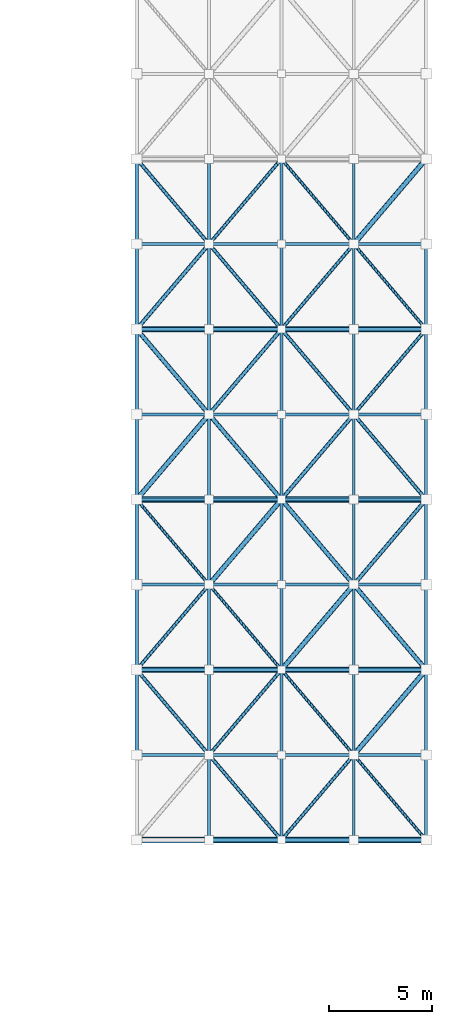
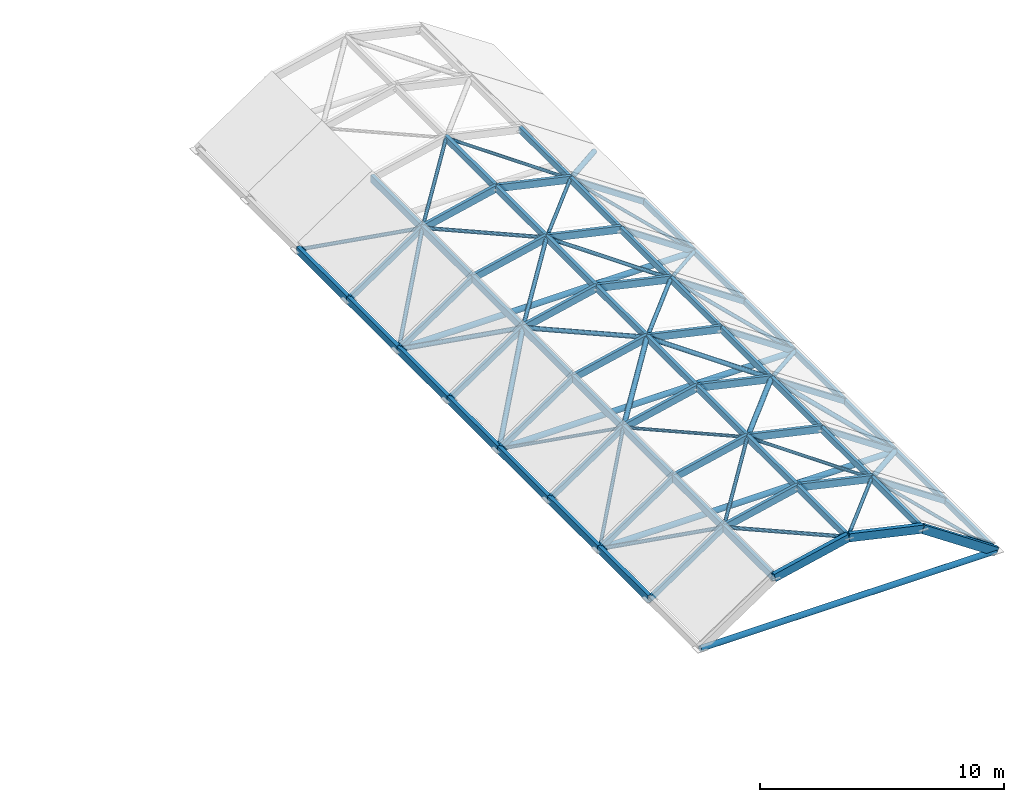
# One storey, part 6 of 15: 104 members.
"""IFC4 building model written with IfcOpenShell, lengths in metres."""

from ifc_helpers import new_model, si_unit, direction, frame, origin, origin_2d, place, context, subcontext, project, spatial, rectangle, hollow_rectangle, hollow_circle, extrude, material, material_profile, profile_set, type_object, element, save


model = new_model("IFC4")

# Units and contexts
model_context = context("Model", 3, precision=1e-05, world=origin(), true_north=direction((0.0, 1.0)))
body_context = subcontext(model_context, "Body", "Model", "MODEL_VIEW")
ifc_project = project(units=[si_unit("LENGTHUNIT", "METRE"), si_unit("AREAUNIT", "SQUARE_METRE"), si_unit("VOLUMEUNIT", "CUBIC_METRE"), si_unit("PLANEANGLEUNIT", "RADIAN"), si_unit("MASSUNIT", "GRAM", prefix="KILO")], contexts=[model_context])

# Site, building, storey
site_placement = place(None, origin())
site = spatial("IfcSite", under=ifc_project, at=site_placement, CompositionType="ELEMENT")
building_placement = place(site_placement, origin())
building = spatial("IfcBuilding", under=site, at=building_placement, Name="Vardoun Plaza Health Centre", CompositionType="ELEMENT")
storey_placement = place(building_placement, frame((0.0, 0.0, 17.10009765625)))
storey = spatial("IfcBuildingStorey", under=building, at=storey_placement, Name="L04", CompositionType="ELEMENT", Elevation=17.10009765625)

# Members
ifc_material_1 = material(Name="Glulam GL28h", Category="wood")
ifc_material_profile_1 = material_profile(ifc_material_1, rectangle(XDim=0.179931640625, YDim=0.360107421875, at=origin_2d()), Name="GL28h 180x360")
ifc_profile_set_1 = profile_set([ifc_material_profile_1], Name="Glulam GL28h")
member_type_1 = type_object("IfcMemberType", Name="GP-03", PredefinedType="PURLIN", material=ifc_profile_set_1)
for number, where, z_axis, x_axis, name in (
    (1, (55.27001953125, 40.803955078125, 0.75), (0.0, 1.0, 0.0), (-1.0, 0.0, 0.0), "Gridshell Glulam Purlin GP-03-02"),
    (2, (55.27001953125, 44.927978515625, 0.75), (0.0, 1.0, 0.0), (-1.0, 0.0, 0.0), "Gridshell Glulam Purlin GP-03-03"),
    (3, (55.27001953125, 49.052001953125, 0.75), (0.0, 1.0, 0.0), (-1.0, 0.0, 0.0), "Gridshell Glulam Purlin GP-03-04"),
    (4, (55.27001953125, 53.176025390625, 0.75), (0.0, 1.0, 0.0), (-1.0, 0.0, 0.0), "Gridshell Glulam Purlin GP-03-05"),
    (5, (55.27001953125, 57.300048828125, 0.75), (0.0, 1.0, 0.0), (-1.0, 0.0, 0.0), "Gridshell Glulam Purlin GP-03-06"),
    (6, (55.27001953125, 61.424072265625, 0.75), (0.0, 1.0, 0.0), (-1.0, 0.0, 0.0), "Gridshell Glulam Purlin GP-03-07"),
    (7, (55.27001953125, 65.548095703125, 0.75), (0.0, 1.0, 0.0), (-1.0, 0.0, 0.0), "Gridshell Glulam Purlin GP-03-08"),
):
    element("IfcMember", number, at=place(storey_placement, frame(where, z_axis=z_axis, x_axis=x_axis)), inside=storey, type_object=member_type_1, Name=name, PredefinedType="PURLIN", context=body_context, shape_type="SweptSolid", body=[
        extrude(rectangle(XDim=0.179931640625, YDim=0.360107421875, at=origin_2d()), origin(), (0.0, 0.0, 1.0), 4.1240234375),
    ])
ifc_material_2 = material(Name="Glulam GL28h", Category="wood")
ifc_material_profile_2 = material_profile(ifc_material_2, rectangle(XDim=0.159912109375, YDim=0.360107421875, at=origin_2d()), Name="GL28h 160x360")
ifc_profile_set_2 = profile_set([ifc_material_profile_2], Name="Glulam GL28h")
member_type_2 = type_object("IfcMemberType", Name="GP-04", PredefinedType="PURLIN", material=ifc_profile_set_2)
for number, where, z_axis, x_axis, name in (
    (8, (58.775146484375, 36.679931640625, 3.1123046875), (0.0, 1.0, 0.0), (-1.0, 0.0, 0.0), "Gridshell Glulam Purlin GP-04-01"),
    (9, (58.775146484375, 40.803955078125, 3.1123046875), (0.0, 1.0, 0.0), (-1.0, 0.0, 0.0), "Gridshell Glulam Purlin GP-04-02"),
    (10, (58.775146484375, 44.927978515625, 3.1123046875), (0.0, 1.0, 0.0), (-1.0, 0.0, 0.0), "Gridshell Glulam Purlin GP-04-03"),
    (11, (58.775146484375, 49.052001953125, 3.1123046875), (0.0, 1.0, 0.0), (-1.0, 0.0, 0.0), "Gridshell Glulam Purlin GP-04-04"),
    (12, (58.775146484375, 53.176025390625, 3.1123046875), (0.0, 1.0, 0.0), (-1.0, 0.0, 0.0), "Gridshell Glulam Purlin GP-04-05"),
    (13, (58.775146484375, 57.300048828125, 3.1123046875), (0.0, 1.0, 0.0), (-1.0, 0.0, 0.0), "Gridshell Glulam Purlin GP-04-06"),
    (14, (58.775146484375, 61.424072265625, 3.1123046875), (0.0, 1.0, 0.0), (-1.0, 0.0, 0.0), "Gridshell Glulam Purlin GP-04-07"),
    (15, (58.775146484375, 65.548095703125, 3.1123046875), (0.0, 1.0, 0.0), (-1.0, 0.0, 0.0), "Gridshell Glulam Purlin GP-04-08"),
):
    element("IfcMember", number, at=place(storey_placement, frame(where, z_axis=z_axis, x_axis=x_axis)), inside=storey, type_object=member_type_2, Name=name, PredefinedType="PURLIN", context=body_context, shape_type="SweptSolid", body=[
        extrude(rectangle(XDim=0.159912109375, YDim=0.360107421875, at=origin_2d()), origin(), (0.0, 0.0, 1.0), 4.1240234375),
    ])
ifc_material_3 = material(Name="Glulam GL28h", Category="wood")
ifc_material_profile_3 = material_profile(ifc_material_3, rectangle(XDim=0.159912109375, YDim=0.320068359375, at=origin_2d()), Name="GL28h 160x320")
ifc_profile_set_3 = profile_set([ifc_material_profile_3], Name="Glulam GL28h")
member_type_3 = type_object("IfcMemberType", Name="GP-05", PredefinedType="PURLIN", material=ifc_profile_set_3)
for number, where, z_axis, x_axis, name in (
    (16, (62.280029296875, 36.679931640625, 3.89990234375), (0.0, 1.0, 0.0), (-1.0, 0.0, 0.0), "Gridshell Glulam Purlin GP-05-01"),
    (17, (62.280029296875, 40.803955078125, 3.89990234375), (0.0, 1.0, 0.0), (-1.0, 0.0, 0.0), "Gridshell Glulam Purlin GP-05-02"),
    (18, (62.280029296875, 44.927978515625, 3.89990234375), (0.0, 1.0, 0.0), (-1.0, 0.0, 0.0), "Gridshell Glulam Purlin GP-05-03"),
    (19, (62.280029296875, 49.052001953125, 3.89990234375), (0.0, 1.0, 0.0), (-1.0, 0.0, 0.0), "Gridshell Glulam Purlin GP-05-04"),
    (20, (62.280029296875, 53.176025390625, 3.89990234375), (0.0, 1.0, 0.0), (-1.0, 0.0, 0.0), "Gridshell Glulam Purlin GP-05-05"),
    (21, (62.280029296875, 57.300048828125, 3.89990234375), (0.0, 1.0, 0.0), (-1.0, 0.0, 0.0), "Gridshell Glulam Purlin GP-05-06"),
    (22, (62.280029296875, 61.424072265625, 3.89990234375), (0.0, 1.0, 0.0), (-1.0, 0.0, 0.0), "Gridshell Glulam Purlin GP-05-07"),
    (23, (62.280029296875, 65.548095703125, 3.89990234375), (0.0, 1.0, 0.0), (-1.0, 0.0, 0.0), "Gridshell Glulam Purlin GP-05-08"),
):
    element("IfcMember", number, at=place(storey_placement, frame(where, z_axis=z_axis, x_axis=x_axis)), inside=storey, type_object=member_type_3, Name=name, PredefinedType="PURLIN", context=body_context, shape_type="SweptSolid", body=[
        extrude(rectangle(XDim=0.159912109375, YDim=0.320068359375, at=origin_2d()), origin(), (0.0, 0.0, 1.0), 4.1240234375),
    ])
ifc_material_4 = material(Name="Glulam GL28h", Category="wood")
ifc_material_profile_4 = material_profile(ifc_material_4, rectangle(XDim=0.139892578125, YDim=0.320068359375, at=origin_2d()), Name="GL28h 140x320")
ifc_profile_set_4 = profile_set([ifc_material_profile_4], Name="Glulam GL28h")
member_type_4 = type_object("IfcMemberType", Name="GP-06", PredefinedType="PURLIN", material=ifc_profile_set_4)
for number, where, z_axis, x_axis, name in (
    (24, (65.784912109375, 36.679931640625, 3.1123046875), (0.0, 1.0, 0.0), (-1.0, 0.0, 0.0), "Gridshell Glulam Purlin GP-06-01"),
    (25, (65.784912109375, 40.803955078125, 3.1123046875), (0.0, 1.0, 0.0), (-1.0, 0.0, 0.0), "Gridshell Glulam Purlin GP-06-02"),
    (26, (65.784912109375, 44.927978515625, 3.1123046875), (0.0, 1.0, 0.0), (-1.0, 0.0, 0.0), "Gridshell Glulam Purlin GP-06-03"),
    (27, (65.784912109375, 49.052001953125, 3.1123046875), (0.0, 1.0, 0.0), (-1.0, 0.0, 0.0), "Gridshell Glulam Purlin GP-06-04"),
    (28, (65.784912109375, 53.176025390625, 3.1123046875), (0.0, 1.0, 0.0), (-1.0, 0.0, 0.0), "Gridshell Glulam Purlin GP-06-05"),
    (29, (65.784912109375, 57.300048828125, 3.1123046875), (0.0, 1.0, 0.0), (-1.0, 0.0, 0.0), "Gridshell Glulam Purlin GP-06-06"),
    (30, (65.784912109375, 61.424072265625, 3.1123046875), (0.0, 1.0, 0.0), (-1.0, 0.0, 0.0), "Gridshell Glulam Purlin GP-06-07"),
    (31, (65.784912109375, 65.548095703125, 3.1123046875), (0.0, 1.0, 0.0), (-1.0, 0.0, 0.0), "Gridshell Glulam Purlin GP-06-08"),
):
    element("IfcMember", number, at=place(storey_placement, frame(where, z_axis=z_axis, x_axis=x_axis)), inside=storey, type_object=member_type_4, Name=name, PredefinedType="PURLIN", context=body_context, shape_type="SweptSolid", body=[
        extrude(rectangle(XDim=0.139892578125, YDim=0.320068359375, at=origin_2d()), origin(), (0.0, 0.0, 1.0), 4.1240234375),
    ])
ifc_material_5 = material(Name="Glulam GL28h", Category="wood")
ifc_material_profile_5 = material_profile(ifc_material_5, rectangle(XDim=0.139892578125, YDim=0.280029296875, at=origin_2d()), Name="GL28h 140x280")
ifc_profile_set_5 = profile_set([ifc_material_profile_5], Name="Glulam GL28h")
member_type_5 = type_object("IfcMemberType", Name="GP-07", PredefinedType="PURLIN", material=ifc_profile_set_5)
for number, where, z_axis, x_axis, name in (
    (32, (69.2900390625, 36.679931640625, 0.75), (0.0, 1.0, 0.0), (-1.0, 0.0, 0.0), "Gridshell Glulam Purlin GP-07-01"),
    (33, (69.2900390625, 40.803955078125, 0.75), (0.0, 1.0, 0.0), (-1.0, 0.0, 0.0), "Gridshell Glulam Purlin GP-07-02"),
    (34, (69.2900390625, 44.927978515625, 0.75), (0.0, 1.0, 0.0), (-1.0, 0.0, 0.0), "Gridshell Glulam Purlin GP-07-03"),
    (35, (69.2900390625, 49.052001953125, 0.75), (0.0, 1.0, 0.0), (-1.0, 0.0, 0.0), "Gridshell Glulam Purlin GP-07-04"),
    (36, (69.2900390625, 53.176025390625, 0.75), (0.0, 1.0, 0.0), (-1.0, 0.0, 0.0), "Gridshell Glulam Purlin GP-07-05"),
    (37, (69.2900390625, 57.300048828125, 0.75), (0.0, 1.0, 0.0), (-1.0, 0.0, 0.0), "Gridshell Glulam Purlin GP-07-06"),
    (38, (69.2900390625, 61.424072265625, 0.75), (0.0, 1.0, 0.0), (-1.0, 0.0, 0.0), "Gridshell Glulam Purlin GP-07-07"),
):
    element("IfcMember", number, at=place(storey_placement, frame(where, z_axis=z_axis, x_axis=x_axis)), inside=storey, type_object=member_type_5, Name=name, PredefinedType="PURLIN", context=body_context, shape_type="SweptSolid", body=[
        extrude(rectangle(XDim=0.139892578125, YDim=0.280029296875, at=origin_2d()), origin(), (0.0, 0.0, 1.0), 4.1240234375),
    ])
ifc_material_6 = material(Name="Steel S355J2H", Category="steel")
ifc_material_profile_6 = material_profile(ifc_material_6, hollow_rectangle(XDim=0.199951171875, YDim=0.39990234375, WallThickness=0.012451171875, at=origin_2d()), Name="RHS 400x200x12.5")
ifc_profile_set_6 = profile_set([ifc_material_profile_6], Name="Steel S355J2H")
member_type_6 = type_object("IfcMemberType", Name="GS-A1", PredefinedType="CHORD", material=ifc_profile_set_6)
for number, where, z_axis, x_axis, name in (
    (39, (58.775146484375, 36.679931640625, 3.1123046875), (0.975669394422, 0.0, 0.219246967568), (0.0, 1.0, 0.0), "Gridshell Arch Rib GA-01-04"),
    (40, (65.784912109375, 36.679931640625, 3.1123046875), (-0.975669394422, 0.0, 0.219246967568), (0.0, -1.0, 0.0), "Gridshell Arch Rib GA-01-05"),
):
    element("IfcMember", number, at=place(storey_placement, frame(where, z_axis=z_axis, x_axis=x_axis)), inside=storey, type_object=member_type_6, Name=name, PredefinedType="CHORD", context=body_context, shape_type="SweptSolid", body=[
        extrude(hollow_rectangle(XDim=0.199951171875, YDim=0.39990234375, WallThickness=0.012451171875, at=origin_2d()), origin(), (0.0, 0.0, 1.0), 3.59228515625),
    ])
member_1_placement = place(storey_placement, frame((69.2900390625, 36.679931640625, 0.75), z_axis=(-0.829249551826, 0.0, 0.558878502714), x_axis=(0.0, -1.0, 0.0)))
element("IfcMember", 41, at=member_1_placement, inside=storey, type_object=member_type_6, Name="Gridshell Arch Rib GA-01-06", PredefinedType="CHORD", context=body_context, shape_type="SweptSolid", body=[
    extrude(hollow_rectangle(XDim=0.199951171875, YDim=0.39990234375, WallThickness=0.012451171875, at=origin_2d()), origin(), (0.0, 0.0, 1.0), 4.226806640625),
])
ifc_material_7 = material(Name="Steel S355J2H", Category="steel")
ifc_material_profile_7 = material_profile(ifc_material_7, hollow_rectangle(XDim=0.14990234375, YDim=0.35009765625, WallThickness=0.010009765625, at=origin_2d()), Name="RHS 350x150x10.0")
ifc_profile_set_7 = profile_set([ifc_material_profile_7], Name="Steel S355J2H")
member_type_7 = type_object("IfcMemberType", Name="GS-A2", PredefinedType="CHORD", material=ifc_profile_set_7)
for number, where, z_axis, x_axis, name in (
    (42, (58.775146484375, 40.803955078125, 3.1123046875), (0.975669394422, 0.0, 0.219246967568), (0.0, 1.0, 0.0), "Gridshell Arch Rib GA-02-04"),
    (43, (65.784912109375, 40.803955078125, 3.1123046875), (-0.975669394422, 0.0, 0.219246967568), (0.0, -1.0, 0.0), "Gridshell Arch Rib GA-02-05"),
    (44, (58.775146484375, 44.927978515625, 3.1123046875), (0.975669394422, 0.0, 0.219246967568), (0.0, 1.0, 0.0), "Gridshell Arch Rib GA-03-04"),
    (45, (65.784912109375, 44.927978515625, 3.1123046875), (-0.975669394422, 0.0, 0.219246967568), (0.0, -1.0, 0.0), "Gridshell Arch Rib GA-03-05"),
    (46, (58.775146484375, 49.052001953125, 3.1123046875), (0.975669394422, 0.0, 0.219246967568), (0.0, 1.0, 0.0), "Gridshell Arch Rib GA-04-04"),
    (47, (65.784912109375, 49.052001953125, 3.1123046875), (-0.975669394422, 0.0, 0.219246967568), (0.0, -1.0, 0.0), "Gridshell Arch Rib GA-04-05"),
    (48, (58.775146484375, 53.176025390625, 3.1123046875), (0.975669394422, 0.0, 0.219246967568), (0.0, 1.0, 0.0), "Gridshell Arch Rib GA-05-04"),
    (49, (65.784912109375, 53.176025390625, 3.1123046875), (-0.975669394422, 0.0, 0.219246967568), (0.0, -1.0, 0.0), "Gridshell Arch Rib GA-05-05"),
    (50, (58.775146484375, 57.300048828125, 3.1123046875), (0.975669394422, 0.0, 0.219246967568), (0.0, 1.0, 0.0), "Gridshell Arch Rib GA-06-04"),
    (51, (65.784912109375, 57.300048828125, 3.1123046875), (-0.975669394422, 0.0, 0.219246967568), (0.0, -1.0, 0.0), "Gridshell Arch Rib GA-06-05"),
    (52, (58.775146484375, 61.424072265625, 3.1123046875), (0.975669394422, 0.0, 0.219246967568), (0.0, 1.0, 0.0), "Gridshell Arch Rib GA-07-04"),
    (53, (65.784912109375, 61.424072265625, 3.1123046875), (-0.975669394422, 0.0, 0.219246967568), (0.0, -1.0, 0.0), "Gridshell Arch Rib GA-07-05"),
    (54, (58.775146484375, 65.548095703125, 3.1123046875), (0.975669394422, 0.0, 0.219246967568), (0.0, 1.0, 0.0), "Gridshell Arch Rib GA-08-04"),
    (55, (65.784912109375, 65.548095703125, 3.1123046875), (-0.975669394422, 0.0, 0.219246967568), (0.0, -1.0, 0.0), "Gridshell Arch Rib GA-08-05"),
):
    element("IfcMember", number, at=place(storey_placement, frame(where, z_axis=z_axis, x_axis=x_axis)), inside=storey, type_object=member_type_7, Name=name, PredefinedType="CHORD", context=body_context, shape_type="SweptSolid", body=[
        extrude(hollow_rectangle(XDim=0.14990234375, YDim=0.35009765625, WallThickness=0.010009765625, at=origin_2d()), origin(), (0.0, 0.0, 1.0), 3.59228515625),
    ])
ifc_material_8 = material(Name="Steel S355J2H", Category="steel")
ifc_material_profile_8 = material_profile(ifc_material_8, hollow_rectangle(XDim=0.14990234375, YDim=0.25, WallThickness=0.010009765625, at=origin_2d()), Name="RHS 250x150x10.0")
ifc_profile_set_8 = profile_set([ifc_material_profile_8], Name="Steel S355J2H")
member_type_8 = type_object("IfcMemberType", Name="GS-A4", PredefinedType="CHORD", material=ifc_profile_set_8)
for number, where, z_axis, x_axis, name in (
    (56, (55.27001953125, 40.803955078125, 0.75), (0.829249551826, 0.0, 0.558878502714), (0.0, 1.0, 0.0), "Gridshell Arch Rib GA-02-03"),
    (57, (69.2900390625, 40.803955078125, 0.75), (-0.829249551826, 0.0, 0.558878502714), (0.0, -1.0, 0.0), "Gridshell Arch Rib GA-02-06"),
    (58, (55.27001953125, 44.927978515625, 0.75), (0.829249551826, 0.0, 0.558878502714), (0.0, 1.0, 0.0), "Gridshell Arch Rib GA-03-03"),
    (59, (69.2900390625, 44.927978515625, 0.75), (-0.829249551826, 0.0, 0.558878502714), (0.0, -1.0, 0.0), "Gridshell Arch Rib GA-03-06"),
    (60, (55.27001953125, 49.052001953125, 0.75), (0.829249551826, 0.0, 0.558878502714), (0.0, 1.0, 0.0), "Gridshell Arch Rib GA-04-03"),
    (61, (69.2900390625, 49.052001953125, 0.75), (-0.829249551826, 0.0, 0.558878502714), (0.0, -1.0, 0.0), "Gridshell Arch Rib GA-04-06"),
    (62, (55.27001953125, 53.176025390625, 0.75), (0.829249551826, 0.0, 0.558878502714), (0.0, 1.0, 0.0), "Gridshell Arch Rib GA-05-03"),
    (63, (69.2900390625, 53.176025390625, 0.75), (-0.829249551826, 0.0, 0.558878502714), (0.0, -1.0, 0.0), "Gridshell Arch Rib GA-05-06"),
    (64, (55.27001953125, 57.300048828125, 0.75), (0.829249551826, 0.0, 0.558878502714), (0.0, 1.0, 0.0), "Gridshell Arch Rib GA-06-03"),
    (65, (69.2900390625, 57.300048828125, 0.75), (-0.829249551826, 0.0, 0.558878502714), (0.0, -1.0, 0.0), "Gridshell Arch Rib GA-06-06"),
    (66, (55.27001953125, 61.424072265625, 0.75), (0.829249551826, 0.0, 0.558878502714), (0.0, 1.0, 0.0), "Gridshell Arch Rib GA-07-03"),
    (67, (69.2900390625, 61.424072265625, 0.75), (-0.829249551826, 0.0, 0.558878502714), (0.0, -1.0, 0.0), "Gridshell Arch Rib GA-07-06"),
    (68, (55.27001953125, 65.548095703125, 0.75), (0.829249551826, 0.0, 0.558878502714), (0.0, 1.0, 0.0), "Gridshell Arch Rib GA-08-03"),
    (69, (69.2900390625, 65.548095703125, 0.75), (-0.829249551826, 0.0, 0.558878502714), (0.0, -1.0, 0.0), "Gridshell Arch Rib GA-08-06"),
):
    element("IfcMember", number, at=place(storey_placement, frame(where, z_axis=z_axis, x_axis=x_axis)), inside=storey, type_object=member_type_8, Name=name, PredefinedType="CHORD", context=body_context, shape_type="SweptSolid", body=[
        extrude(hollow_rectangle(XDim=0.14990234375, YDim=0.25, WallThickness=0.010009765625, at=origin_2d()), origin(), (0.0, 0.0, 1.0), 4.226806640625),
    ])
ifc_material_9 = material(Name="Steel S355J2H", Category="steel")
ifc_material_profile_9 = material_profile(ifc_material_9, hollow_circle(Radius=0.122314453125, WallThickness=0.012451171875, at=origin_2d()), Name="CHS 244.5x12.5")
ifc_profile_set_9 = profile_set([ifc_material_profile_9], Name="Steel S355J2H")
member_type_9 = type_object("IfcMemberType", Name="GS-D1", PredefinedType="BRACE", material=ifc_profile_set_9)
member_2_placement = place(storey_placement, frame((69.2900390625, 44.927978515625, 0.75), z_axis=(-0.593544208723, -0.698345669273, 0.400023247448), x_axis=(0.761966028439, -0.647616994453, 0.0)))
element("IfcMember", 70, at=member_2_placement, inside=storey, type_object=member_type_9, Name="Gridshell Diagonal GD-02-06", PredefinedType="BRACE", context=body_context, shape_type="SweptSolid", body=[
    extrude(hollow_circle(Radius=0.122314453125, WallThickness=0.012451171875, at=origin_2d()), origin(), (0.0, 0.0, 1.0), 5.905517578125),
])
for number, where, z_axis, x_axis, name in (
    (71, (65.784912109375, 49.052001953125, 3.1123046875), (-0.640840829253, -0.754045924195, 0.144006165727), (0.761988287779, -0.647590803893, 0.0), "Gridshell Diagonal GD-03-05"),
    (72, (58.775146484375, 49.052001953125, 3.1123046875), (0.640840829253, 0.754045924195, 0.144006165727), (-0.761988287779, 0.647590803893, 0.0), "Gridshell Diagonal GD-04-04"),
):
    element("IfcMember", number, at=place(storey_placement, frame(where, z_axis=z_axis, x_axis=x_axis)), inside=storey, type_object=member_type_9, Name=name, PredefinedType="BRACE", context=body_context, shape_type="SweptSolid", body=[
        extrude(hollow_circle(Radius=0.122314453125, WallThickness=0.012451171875, at=origin_2d()), origin(), (0.0, 0.0, 1.0), 5.46923828125),
    ])
for number, where, z_axis, x_axis, name in (
    (73, (55.27001953125, 53.176025390625, 0.75), (0.593544208723, 0.698345669273, 0.400023247448), (-0.761966028439, 0.647616994453, 0.0), "Gridshell Diagonal GD-05-03"),
    (74, (69.2900390625, 69.672119140625, 0.75), (-0.593544208723, -0.698345669273, 0.400023247448), (0.761966028439, -0.647616994453, 0.0), "Gridshell Diagonal GD-08-06"),
):
    element("IfcMember", number, at=place(storey_placement, frame(where, z_axis=z_axis, x_axis=x_axis)), inside=storey, type_object=member_type_9, Name=name, PredefinedType="BRACE", context=body_context, shape_type="SweptSolid", body=[
        extrude(hollow_circle(Radius=0.122314453125, WallThickness=0.012451171875, at=origin_2d()), origin(), (0.0, 0.0, 1.0), 5.905517578125),
    ])
ifc_material_10 = material(Name="Steel S355J2H", Category="steel")
ifc_material_profile_10 = material_profile(ifc_material_10, hollow_circle(Radius=0.109619140625, WallThickness=0.010009765625, at=origin_2d()), Name="CHS 219.1x10.0")
ifc_profile_set_10 = profile_set([ifc_material_profile_10], Name="Steel S355J2H")
member_type_10 = type_object("IfcMemberType", Name="GS-D2", PredefinedType="BRACE", material=ifc_profile_set_10)
member_3_placement = place(storey_placement, frame((69.2900390625, 44.927978515625, 0.75), z_axis=(-0.593544208723, 0.698345669273, 0.400023247448), x_axis=(-0.761966028439, -0.647616994453, 0.0)))
element("IfcMember", 75, at=member_3_placement, inside=storey, type_object=member_type_10, Name="Gridshell Diagonal GD-03-06", PredefinedType="BRACE", context=body_context, shape_type="SweptSolid", body=[
    extrude(hollow_circle(Radius=0.109619140625, WallThickness=0.010009765625, at=origin_2d()), origin(), (0.0, 0.0, 1.0), 5.905517578125),
])
for number, where, z_axis, x_axis, name in (
    (76, (65.784912109375, 49.052001953125, 3.1123046875), (-0.640840829253, 0.754045924195, 0.144006165727), (-0.761988287779, -0.647590803893, 0.0), "Gridshell Diagonal GD-04-05"),
    (77, (58.775146484375, 57.300048828125, 3.1123046875), (0.640840829253, -0.754045924195, 0.144006165727), (0.761988287779, 0.647590803893, 0.0), "Gridshell Diagonal GD-05-04"),
):
    element("IfcMember", number, at=place(storey_placement, frame(where, z_axis=z_axis, x_axis=x_axis)), inside=storey, type_object=member_type_10, Name=name, PredefinedType="BRACE", context=body_context, shape_type="SweptSolid", body=[
        extrude(hollow_circle(Radius=0.109619140625, WallThickness=0.010009765625, at=origin_2d()), origin(), (0.0, 0.0, 1.0), 5.46923828125),
    ])
member_4_placement = place(storey_placement, frame((55.27001953125, 61.424072265625, 0.75), z_axis=(0.593544208723, -0.698345669273, 0.400023247448), x_axis=(0.761966028439, 0.647616994453, 0.0)))
element("IfcMember", 78, at=member_4_placement, inside=storey, type_object=member_type_10, Name="Gridshell Diagonal GD-06-03", PredefinedType="BRACE", context=body_context, shape_type="SweptSolid", body=[
    extrude(hollow_circle(Radius=0.109619140625, WallThickness=0.010009765625, at=origin_2d()), origin(), (0.0, 0.0, 1.0), 5.905517578125),
])
ifc_material_11 = material(Name="Steel S355J2H", Category="steel")
ifc_material_profile_11 = material_profile(ifc_material_11, hollow_circle(Radius=0.096923828125, WallThickness=0.010009765625, at=origin_2d()), Name="CHS 193.7x10.0")
ifc_profile_set_11 = profile_set([ifc_material_profile_11], Name="Steel S355J2H")
member_type_11 = type_object("IfcMemberType", Name="GS-D3", PredefinedType="BRACE", material=ifc_profile_set_11)
member_5_placement = place(storey_placement, frame((69.2900390625, 53.176025390625, 0.75), z_axis=(-0.593544208723, -0.698345669273, 0.400023247448), x_axis=(0.761966028439, -0.647616994453, 0.0)))
element("IfcMember", 79, at=member_5_placement, inside=storey, type_object=member_type_11, Name="Gridshell Diagonal GD-04-06", PredefinedType="BRACE", context=body_context, shape_type="SweptSolid", body=[
    extrude(hollow_circle(Radius=0.096923828125, WallThickness=0.010009765625, at=origin_2d()), origin(), (0.0, 0.0, 1.0), 5.905517578125),
])
for number, where, z_axis, x_axis, name in (
    (80, (65.784912109375, 57.300048828125, 3.1123046875), (-0.640840829253, -0.754045924195, 0.144006165727), (0.761988287779, -0.647590803893, 0.0), "Gridshell Diagonal GD-05-05"),
    (81, (58.775146484375, 57.300048828125, 3.1123046875), (0.640840829253, 0.754045924195, 0.144006165727), (-0.761988287779, 0.647590803893, 0.0), "Gridshell Diagonal GD-06-04"),
):
    element("IfcMember", number, at=place(storey_placement, frame(where, z_axis=z_axis, x_axis=x_axis)), inside=storey, type_object=member_type_11, Name=name, PredefinedType="BRACE", context=body_context, shape_type="SweptSolid", body=[
        extrude(hollow_circle(Radius=0.096923828125, WallThickness=0.010009765625, at=origin_2d()), origin(), (0.0, 0.0, 1.0), 5.46923828125),
    ])
member_6_placement = place(storey_placement, frame((55.27001953125, 61.424072265625, 0.75), z_axis=(0.593544208723, 0.698345669273, 0.400023247448), x_axis=(-0.761966028439, 0.647616994453, 0.0)))
element("IfcMember", 82, at=member_6_placement, inside=storey, type_object=member_type_11, Name="Gridshell Diagonal GD-07-03", PredefinedType="BRACE", context=body_context, shape_type="SweptSolid", body=[
    extrude(hollow_circle(Radius=0.096923828125, WallThickness=0.010009765625, at=origin_2d()), origin(), (0.0, 0.0, 1.0), 5.905517578125),
])
ifc_material_12 = material(Name="Steel S355J2H", Category="steel")
ifc_material_profile_12 = material_profile(ifc_material_12, hollow_circle(Radius=0.0888671875, WallThickness=0.008056640625, at=origin_2d()), Name="CHS 177.8x8.0")
ifc_profile_set_12 = profile_set([ifc_material_profile_12], Name="Steel S355J2H")
member_type_12 = type_object("IfcMemberType", Name="GS-D4", PredefinedType="BRACE", material=ifc_profile_set_12)
member_7_placement = place(storey_placement, frame((58.775146484375, 40.803955078125, 3.1123046875), z_axis=(0.640840829253, -0.754045924195, 0.144006165727), x_axis=(0.761988287779, 0.647590803893, 0.0)))
element("IfcMember", 83, at=member_7_placement, inside=storey, type_object=member_type_12, Name="Gridshell Diagonal GD-01-04", PredefinedType="BRACE", context=body_context, shape_type="SweptSolid", body=[
    extrude(hollow_circle(Radius=0.0888671875, WallThickness=0.008056640625, at=origin_2d()), origin(), (0.0, 0.0, 1.0), 5.46923828125),
])
for number, where, z_axis, x_axis, name in (
    (84, (55.27001953125, 44.927978515625, 0.75), (0.593544208723, -0.698345669273, 0.400023247448), (0.761966028439, 0.647616994453, 0.0), "Gridshell Diagonal GD-02-03"),
    (85, (69.2900390625, 53.176025390625, 0.75), (-0.593544208723, 0.698345669273, 0.400023247448), (-0.761966028439, -0.647616994453, 0.0), "Gridshell Diagonal GD-05-06"),
):
    element("IfcMember", number, at=place(storey_placement, frame(where, z_axis=z_axis, x_axis=x_axis)), inside=storey, type_object=member_type_12, Name=name, PredefinedType="BRACE", context=body_context, shape_type="SweptSolid", body=[
        extrude(hollow_circle(Radius=0.0888671875, WallThickness=0.008056640625, at=origin_2d()), origin(), (0.0, 0.0, 1.0), 5.905517578125),
    ])
for number, where, z_axis, x_axis, name in (
    (86, (65.784912109375, 57.300048828125, 3.1123046875), (-0.640840829253, 0.754045924195, 0.144006165727), (-0.761988287779, -0.647590803893, 0.0), "Gridshell Diagonal GD-06-05"),
    (87, (58.775146484375, 65.548095703125, 3.1123046875), (0.640840829253, -0.754045924195, 0.144006165727), (0.761988287779, 0.647590803893, 0.0), "Gridshell Diagonal GD-07-04"),
):
    element("IfcMember", number, at=place(storey_placement, frame(where, z_axis=z_axis, x_axis=x_axis)), inside=storey, type_object=member_type_12, Name=name, PredefinedType="BRACE", context=body_context, shape_type="SweptSolid", body=[
        extrude(hollow_circle(Radius=0.0888671875, WallThickness=0.008056640625, at=origin_2d()), origin(), (0.0, 0.0, 1.0), 5.46923828125),
    ])
member_8_placement = place(storey_placement, frame((55.27001953125, 69.672119140625, 0.75), z_axis=(0.593544208723, -0.698345669273, 0.400023247448), x_axis=(0.761966028439, 0.647616994453, 0.0)))
element("IfcMember", 88, at=member_8_placement, inside=storey, type_object=member_type_12, Name="Gridshell Diagonal GD-08-03", PredefinedType="BRACE", context=body_context, shape_type="SweptSolid", body=[
    extrude(hollow_circle(Radius=0.0888671875, WallThickness=0.008056640625, at=origin_2d()), origin(), (0.0, 0.0, 1.0), 5.905517578125),
])
ifc_material_13 = material(Name="Steel S355J2H", Category="steel")
ifc_material_profile_13 = material_profile(ifc_material_13, hollow_circle(Radius=0.084228515625, WallThickness=0.008056640625, at=origin_2d()), Name="CHS 168.3x8.0")
ifc_profile_set_13 = profile_set([ifc_material_profile_13], Name="Steel S355J2H")
member_type_13 = type_object("IfcMemberType", Name="GS-D5", PredefinedType="BRACE", material=ifc_profile_set_13)
for number, where, z_axis, x_axis, name in (
    (89, (65.784912109375, 40.803955078125, 3.1123046875), (-0.640840829253, -0.754045924195, 0.144006165727), (0.761988287779, -0.647590803893, 0.0), "Gridshell Diagonal GD-01-05"),
    (90, (58.775146484375, 40.803955078125, 3.1123046875), (0.640840829253, 0.754045924195, 0.144006165727), (-0.761988287779, 0.647590803893, 0.0), "Gridshell Diagonal GD-02-04"),
):
    element("IfcMember", number, at=place(storey_placement, frame(where, z_axis=z_axis, x_axis=x_axis)), inside=storey, type_object=member_type_13, Name=name, PredefinedType="BRACE", context=body_context, shape_type="SweptSolid", body=[
        extrude(hollow_circle(Radius=0.084228515625, WallThickness=0.008056640625, at=origin_2d()), origin(), (0.0, 0.0, 1.0), 5.46923828125),
    ])
for number, where, z_axis, x_axis, name in (
    (91, (55.27001953125, 44.927978515625, 0.75), (0.593544208723, 0.698345669273, 0.400023247448), (-0.761966028439, 0.647616994453, 0.0), "Gridshell Diagonal GD-03-03"),
    (92, (69.2900390625, 61.424072265625, 0.75), (-0.593544208723, -0.698345669273, 0.400023247448), (0.761966028439, -0.647616994453, 0.0), "Gridshell Diagonal GD-06-06"),
):
    element("IfcMember", number, at=place(storey_placement, frame(where, z_axis=z_axis, x_axis=x_axis)), inside=storey, type_object=member_type_13, Name=name, PredefinedType="BRACE", context=body_context, shape_type="SweptSolid", body=[
        extrude(hollow_circle(Radius=0.084228515625, WallThickness=0.008056640625, at=origin_2d()), origin(), (0.0, 0.0, 1.0), 5.905517578125),
    ])
for number, where, z_axis, x_axis, name in (
    (93, (65.784912109375, 65.548095703125, 3.1123046875), (-0.640840829253, -0.754045924195, 0.144006165727), (0.761988287779, -0.647590803893, 0.0), "Gridshell Diagonal GD-07-05"),
    (94, (58.775146484375, 65.548095703125, 3.1123046875), (0.640840829253, 0.754045924195, 0.144006165727), (-0.761988287779, 0.647590803893, 0.0), "Gridshell Diagonal GD-08-04"),
):
    element("IfcMember", number, at=place(storey_placement, frame(where, z_axis=z_axis, x_axis=x_axis)), inside=storey, type_object=member_type_13, Name=name, PredefinedType="BRACE", context=body_context, shape_type="SweptSolid", body=[
        extrude(hollow_circle(Radius=0.084228515625, WallThickness=0.008056640625, at=origin_2d()), origin(), (0.0, 0.0, 1.0), 5.46923828125),
    ])
ifc_material_14 = material(Name="Steel S355J2H", Category="steel")
ifc_material_profile_14 = material_profile(ifc_material_14, hollow_circle(Radius=0.076171875, WallThickness=0.008056640625, at=origin_2d()), Name="CHS 152.4x8.0")
ifc_profile_set_14 = profile_set([ifc_material_profile_14], Name="Steel S355J2H")
member_type_14 = type_object("IfcMemberType", Name="GS-D6", PredefinedType="BRACE", material=ifc_profile_set_14)
member_9_placement = place(storey_placement, frame((69.2900390625, 36.679931640625, 0.75), z_axis=(-0.593544208723, 0.698345669273, 0.400023247448), x_axis=(-0.761966028439, -0.647616994453, 0.0)))
element("IfcMember", 95, at=member_9_placement, inside=storey, type_object=member_type_14, Name="Gridshell Diagonal GD-01-06", PredefinedType="BRACE", context=body_context, shape_type="SweptSolid", body=[
    extrude(hollow_circle(Radius=0.076171875, WallThickness=0.008056640625, at=origin_2d()), origin(), (0.0, 0.0, 1.0), 5.905517578125),
])
for number, where, z_axis, x_axis, name in (
    (96, (65.784912109375, 40.803955078125, 3.1123046875), (-0.640840829253, 0.754045924195, 0.144006165727), (-0.761988287779, -0.647590803893, 0.0), "Gridshell Diagonal GD-02-05"),
    (97, (58.775146484375, 49.052001953125, 3.1123046875), (0.640840829253, -0.754045924195, 0.144006165727), (0.761988287779, 0.647590803893, 0.0), "Gridshell Diagonal GD-03-04"),
):
    element("IfcMember", number, at=place(storey_placement, frame(where, z_axis=z_axis, x_axis=x_axis)), inside=storey, type_object=member_type_14, Name=name, PredefinedType="BRACE", context=body_context, shape_type="SweptSolid", body=[
        extrude(hollow_circle(Radius=0.076171875, WallThickness=0.008056640625, at=origin_2d()), origin(), (0.0, 0.0, 1.0), 5.46923828125),
    ])
for number, where, z_axis, x_axis, name in (
    (98, (55.27001953125, 53.176025390625, 0.75), (0.593544208723, -0.698345669273, 0.400023247448), (0.761966028439, 0.647616994453, 0.0), "Gridshell Diagonal GD-04-03"),
    (99, (69.2900390625, 61.424072265625, 0.75), (-0.593544208723, 0.698345669273, 0.400023247448), (-0.761966028439, -0.647616994453, 0.0), "Gridshell Diagonal GD-07-06"),
):
    element("IfcMember", number, at=place(storey_placement, frame(where, z_axis=z_axis, x_axis=x_axis)), inside=storey, type_object=member_type_14, Name=name, PredefinedType="BRACE", context=body_context, shape_type="SweptSolid", body=[
        extrude(hollow_circle(Radius=0.076171875, WallThickness=0.008056640625, at=origin_2d()), origin(), (0.0, 0.0, 1.0), 5.905517578125),
    ])
member_10_placement = place(storey_placement, frame((65.784912109375, 65.548095703125, 3.1123046875), z_axis=(-0.640840829253, 0.754045924195, 0.144006165727), x_axis=(-0.761988287779, -0.647590803893, 0.0)))
element("IfcMember", 100, at=member_10_placement, inside=storey, type_object=member_type_14, Name="Gridshell Diagonal GD-08-05", PredefinedType="BRACE", context=body_context, shape_type="SweptSolid", body=[
    extrude(hollow_circle(Radius=0.076171875, WallThickness=0.008056640625, at=origin_2d()), origin(), (0.0, 0.0, 1.0), 5.46923828125),
])
ifc_material_15 = material(Name="Steel S355J2H", Category="steel")
ifc_material_profile_15 = material_profile(ifc_material_15, hollow_circle(Radius=0.136474609375, WallThickness=0.012451171875, at=origin_2d()), Name="CHS 273.0x12.5")
ifc_profile_set_15 = profile_set([ifc_material_profile_15], Name="Steel S355J2H")
member_type_15 = type_object("IfcMemberType", Name="GS-T1", PredefinedType="COLLAR", material=ifc_profile_set_15)
for number, where, z_axis, x_axis, name in (
    (101, (55.27001953125, 36.679931640625, 0.75), (1.0, 0.0, 0.0), (0.0, 1.0, 0.0), "Gridshell Arch Collar Tie 01"),
    (102, (55.27001953125, 44.927978515625, 0.75), (1.0, 0.0, 0.0), (0.0, 1.0, 0.0), "Gridshell Arch Collar Tie 03"),
    (103, (55.27001953125, 53.176025390625, 0.75), (1.0, 0.0, 0.0), (0.0, 1.0, 0.0), "Gridshell Arch Collar Tie 05"),
    (104, (55.27001953125, 61.424072265625, 0.75), (1.0, 0.0, 0.0), (0.0, 1.0, 0.0), "Gridshell Arch Collar Tie 07"),
):
    element("IfcMember", number, at=place(storey_placement, frame(where, z_axis=z_axis, x_axis=x_axis)), inside=storey, type_object=member_type_15, Name=name, PredefinedType="COLLAR", context=body_context, shape_type="SweptSolid", body=[
        extrude(hollow_circle(Radius=0.136474609375, WallThickness=0.012451171875, at=origin_2d()), origin(), (0.0, 0.0, 1.0), 14.02001953125),
    ])

save(model, "model.ifc")
